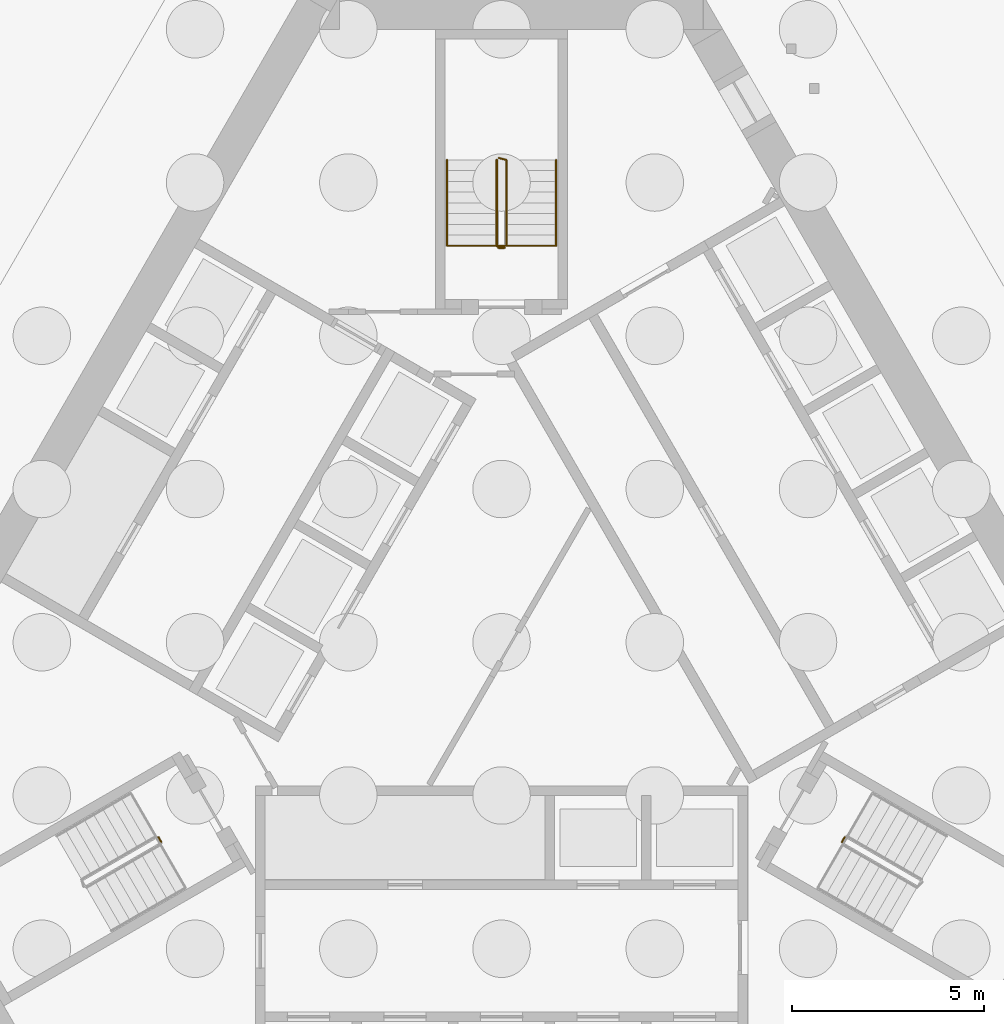
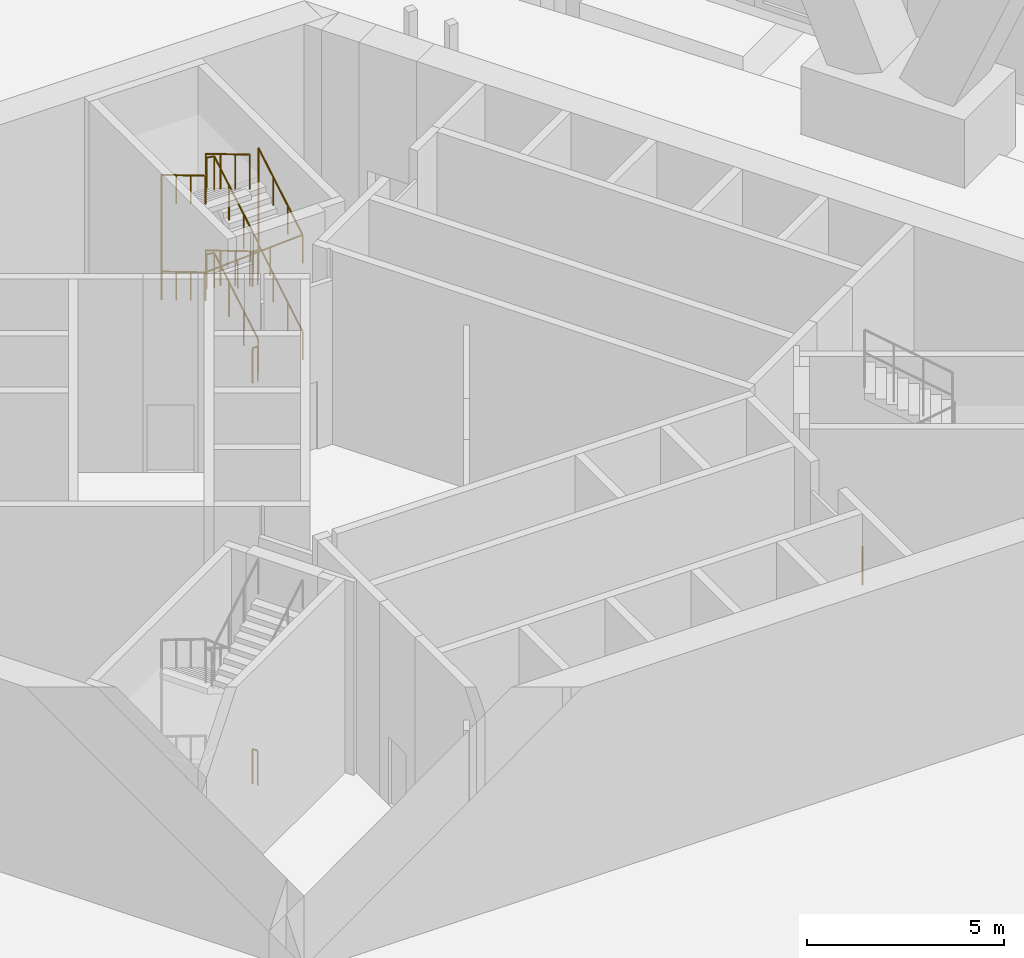
# One storey, part 32 of 38: 8 railings.
"""IFC4 building model written with IfcOpenShell, lengths in metres."""

from ifc_helpers import new_model, si_unit, direction, frame, origin, origin_2d, place, context, subcontext, project, spatial, circle, extrude, material, type_object, element, save


model = new_model("IFC4")

# Units and contexts
model_context = context("Model", 3, precision=1e-05, world=origin(), true_north=direction((0.0, 1.0)))
body_context = subcontext(model_context, "Body", "Model", "MODEL_VIEW")
ifc_project = project(units=[si_unit("LENGTHUNIT", "METRE"), si_unit("AREAUNIT", "SQUARE_METRE"), si_unit("VOLUMEUNIT", "CUBIC_METRE"), si_unit("PLANEANGLEUNIT", "RADIAN"), si_unit("MASSUNIT", "GRAM", prefix="KILO")], contexts=[model_context])

# Site, building, storey
site_placement = place(None, origin())
site = spatial("IfcSite", under=ifc_project, at=site_placement, CompositionType="ELEMENT")
building_placement = place(site_placement, origin())
building = spatial("IfcBuilding", under=site, at=building_placement, Name="Mestral Congress Tower", CompositionType="ELEMENT")
storey_placement = place(building_placement, origin())
storey = spatial("IfcBuildingStorey", under=building, at=storey_placement, Name="L00", CompositionType="ELEMENT", Elevation=0.0)

# Railings
ifc_material_1 = material(Name="Steel balustrade", Category="steel")
railing_type_1 = type_object("IfcRailingType", Name="Stair guard 1100", PredefinedType="GUARDRAIL", material=ifc_material_1)
railing_1_placement = place(storey_placement, frame((8.882568359375, -5.21484375, 0.0)))
element("IfcRailing", 1, at=railing_1_placement, inside=storey, type_object=railing_type_1, Name="L00 ST1 stair guard 5", PredefinedType="GUARDRAIL", context=body_context, shape_type="SweptSolid", body=[
    extrude(circle(Radius=0.02392578125, at=origin_2d()), frame((0.0, 0.0, 1.076171875), z_axis=(0.499816412211, 0.866131372301, 0.0), x_axis=(-0.866131372301, 0.499816412211, 0.0)), (0.0, 0.0, 1.0), 0.14990234375),
    extrude(circle(Radius=0.02099609375, at=origin_2d()), origin(), (0.0, 0.0, 1.0), 1.052001953125),
    extrude(circle(Radius=0.02099609375, at=origin_2d()), frame((0.074951171875, 0.1298828125, 0.0)), (0.0, 0.0, 1.0), 1.052001953125),
])
railing_2_placement = place(storey_placement, frame((0.125, 10.35009765625, 0.166748046875)))
element("IfcRailing", 2, at=railing_2_placement, inside=storey, type_object=railing_type_1, Name="L00 ST2 stair guard 1", PredefinedType="GUARDRAIL", context=body_context, shape_type="SweptSolid", body=[
    extrude(circle(Radius=0.02392578125, at=origin_2d()), frame((0.0, 0.0, 1.076171875), z_axis=(0.0, 0.859305625298, 0.511462454469), x_axis=(-1.0, 0.0, 0.0)), (0.0, 0.0, 1.0), 2.606689453125),
    extrude(circle(Radius=0.02392578125, at=origin_2d()), frame((0.0, 2.239990234375, 2.4091796875), z_axis=(-0.970351222016, 0.241699205484, 0.0), x_axis=(-0.241699205484, -0.970351222016, 0.0)), (0.0, 0.0, 1.0), 0.2060546875),
    extrude(circle(Radius=0.02099609375, at=origin_2d()), origin(), (0.0, 0.0, 1.0), 1.052001953125),
    extrude(circle(Radius=0.02099609375, at=origin_2d()), frame((0.0, 0.74658203125, 0.4443359375)), (0.0, 0.0, 1.0), 1.052001953125),
    extrude(circle(Radius=0.02099609375, at=origin_2d()), frame((0.0, 1.493408203125, 0.888916015625)), (0.0, 0.0, 1.0), 1.052001953125),
    extrude(circle(Radius=0.02099609375, at=origin_2d()), frame((0.0, 2.239990234375, 1.333251953125)), (0.0, 0.0, 1.0), 1.052001953125),
    extrude(circle(Radius=0.02099609375, at=origin_2d()), frame((-0.199951171875, 2.289794921875, 1.333251953125)), (0.0, 0.0, 1.0), 1.052001953125),
])
railing_3_placement = place(storey_placement, frame((-0.125, 12.590087890625, 1.666748046875)))
element("IfcRailing", 3, at=railing_3_placement, inside=storey, type_object=railing_type_1, Name="L00 ST2 stair guard 2", PredefinedType="GUARDRAIL", context=body_context, shape_type="SweptSolid", body=[
    extrude(circle(Radius=0.02392578125, at=origin_2d()), frame((0.0, 0.0, 1.076171875), z_axis=(0.0, -0.859305625298, 0.511462454469), x_axis=(1.0, 0.0, 0.0)), (0.0, 0.0, 1.0), 2.606689453125),
    extrude(circle(Radius=0.02392578125, at=origin_2d()), frame((0.0, -2.239990234375, 2.4091796875), z_axis=(0.707106781187, -0.707106781187, 0.0), x_axis=(0.707106781187, 0.707106781187, 0.0)), (0.0, 0.0, 1.0), 0.07080078125),
    extrude(circle(Radius=0.02392578125, at=origin_2d()), frame((0.050048828125, -2.2900390625, 2.4091796875), z_axis=(1.0, 0.0, 0.0), x_axis=(0.0, 1.0, 0.0)), (0.0, 0.0, 1.0), 0.14990234375),
    extrude(circle(Radius=0.02099609375, at=origin_2d()), origin(), (0.0, 0.0, 1.0), 1.052001953125),
    extrude(circle(Radius=0.02099609375, at=origin_2d()), frame((0.0, -0.74658203125, 0.4443359375)), (0.0, 0.0, 1.0), 1.052001953125),
    extrude(circle(Radius=0.02099609375, at=origin_2d()), frame((0.0, -1.493408203125, 0.888916015625)), (0.0, 0.0, 1.0), 1.052001953125),
    extrude(circle(Radius=0.02099609375, at=origin_2d()), frame((0.0, -2.239990234375, 1.333251953125)), (0.0, 0.0, 1.0), 1.052001953125),
    extrude(circle(Radius=0.02099609375, at=origin_2d()), frame((0.050048828125, -2.2900390625, 1.333251953125)), (0.0, 0.0, 1.0), 1.052001953125),
    extrude(circle(Radius=0.02099609375, at=origin_2d()), frame((0.199951171875, -2.2900390625, 1.333251953125)), (0.0, 0.0, 1.0), 1.052001953125),
])
railing_4_placement = place(storey_placement, frame((0.125, 10.35009765625, 3.166748046875)))
element("IfcRailing", 4, at=railing_4_placement, inside=storey, type_object=railing_type_1, Name="L00 ST2 stair guard 3", PredefinedType="GUARDRAIL", context=body_context, shape_type="SweptSolid", body=[
    extrude(circle(Radius=0.02392578125, at=origin_2d()), frame((0.0, 0.0, 1.076171875), z_axis=(0.0, 0.859305625298, 0.511462454469), x_axis=(-1.0, 0.0, 0.0)), (0.0, 0.0, 1.0), 2.606689453125),
    extrude(circle(Radius=0.02392578125, at=origin_2d()), frame((0.0, 2.239990234375, 2.4091796875), z_axis=(-0.970351222016, 0.241699205484, 0.0), x_axis=(-0.241699205484, -0.970351222016, 0.0)), (0.0, 0.0, 1.0), 0.2060546875),
    extrude(circle(Radius=0.02099609375, at=origin_2d()), origin(), (0.0, 0.0, 1.0), 1.052001953125),
    extrude(circle(Radius=0.02099609375, at=origin_2d()), frame((0.0, 0.74658203125, 0.4443359375)), (0.0, 0.0, 1.0), 1.052001953125),
    extrude(circle(Radius=0.02099609375, at=origin_2d()), frame((0.0, 1.493408203125, 0.888916015625)), (0.0, 0.0, 1.0), 1.052001953125),
    extrude(circle(Radius=0.02099609375, at=origin_2d()), frame((0.0, 2.239990234375, 1.333251953125)), (0.0, 0.0, 1.0), 1.052001953125),
    extrude(circle(Radius=0.02099609375, at=origin_2d()), frame((-0.199951171875, 2.289794921875, 1.333251953125)), (0.0, 0.0, 1.0), 1.052001953125),
])
railing_5_placement = place(storey_placement, frame((-0.125, 12.590087890625, 4.666748046875)))
element("IfcRailing", 5, at=railing_5_placement, inside=storey, type_object=railing_type_1, Name="L00 ST2 stair guard 4", PredefinedType="GUARDRAIL", context=body_context, shape_type="SweptSolid", body=[
    extrude(circle(Radius=0.02392578125, at=origin_2d()), frame((0.0, 0.0, 1.076171875), z_axis=(0.0, -0.859305625298, 0.511462454469), x_axis=(1.0, 0.0, 0.0)), (0.0, 0.0, 1.0), 2.606689453125),
    extrude(circle(Radius=0.02099609375, at=origin_2d()), origin(), (0.0, 0.0, 1.0), 1.052001953125),
    extrude(circle(Radius=0.02099609375, at=origin_2d()), frame((0.0, -0.74658203125, 0.4443359375)), (0.0, 0.0, 1.0), 1.052001953125),
    extrude(circle(Radius=0.02099609375, at=origin_2d()), frame((0.0, -1.493408203125, 0.888916015625)), (0.0, 0.0, 1.0), 1.052001953125),
    extrude(circle(Radius=0.02099609375, at=origin_2d()), frame((0.0, -2.239990234375, 1.333251953125)), (0.0, 0.0, 1.0), 1.052001953125),
])
railing_6_placement = place(storey_placement, frame((0.074951171875, 10.300048828125, 0.0)))
element("IfcRailing", 6, at=railing_6_placement, inside=storey, type_object=railing_type_1, Name="L00 ST2 stair guard 5", PredefinedType="GUARDRAIL", context=body_context, shape_type="SweptSolid", body=[
    extrude(circle(Radius=0.02392578125, at=origin_2d()), frame((0.0, 0.0, 1.076171875), z_axis=(-1.0, 0.0, 0.0), x_axis=(0.0, -1.0, 0.0)), (0.0, 0.0, 1.0), 0.14990234375),
    extrude(circle(Radius=0.02099609375, at=origin_2d()), origin(), (0.0, 0.0, 1.0), 1.052001953125),
    extrude(circle(Radius=0.02099609375, at=origin_2d()), frame((-0.14990234375, 0.0, 0.0)), (0.0, 0.0, 1.0), 1.052001953125),
])
railing_7_placement = place(storey_placement, frame((-8.95751953125, -5.0849609375, 0.0)))
element("IfcRailing", 7, at=railing_7_placement, inside=storey, type_object=railing_type_1, Name="L00 ST3 stair guard 5", PredefinedType="GUARDRAIL", context=body_context, shape_type="SweptSolid", body=[
    extrude(circle(Radius=0.02392578125, at=origin_2d()), frame((0.0, 0.0, 1.076171875), z_axis=(0.499816412211, -0.866131372301, 0.0), x_axis=(0.866131372301, 0.499816412211, 0.0)), (0.0, 0.0, 1.0), 0.14990234375),
    extrude(circle(Radius=0.02099609375, at=origin_2d()), origin(), (0.0, 0.0, 1.0), 1.052001953125),
    extrude(circle(Radius=0.02099609375, at=origin_2d()), frame((0.074951171875, -0.1298828125, 0.0)), (0.0, 0.0, 1.0), 1.052001953125),
])
ifc_material_2 = material(Name="Steel handrail", Category="steel")
railing_type_2 = type_object("IfcRailingType", Name="Stair handrail 900", PredefinedType="HANDRAIL", material=ifc_material_2)
railing_8_placement = place(storey_placement, frame((1.425048828125, 10.35009765625, 0.166748046875)))
element("IfcRailing", 8, at=railing_8_placement, inside=storey, type_object=railing_type_2, Name="L00 ST2 stair handrail 1", PredefinedType="HANDRAIL", context=body_context, shape_type="SweptSolid", body=[
    extrude(circle(Radius=0.02392578125, at=origin_2d()), frame((0.0, 0.0, 0.8759765625), z_axis=(0.0, 0.859305625298, 0.511462454469), x_axis=(-1.0, 0.0, 0.0)), (0.0, 0.0, 1.0), 2.606689453125),
    extrude(circle(Radius=0.02392578125, at=origin_2d()), frame((0.0, 2.239990234375, 2.208984375), z_axis=(0.0, 0.0, 1.0), x_axis=(1.0, 0.0, 0.0)), (0.0, 0.0, 1.0), 3.0),
    extrude(circle(Radius=0.02392578125, at=origin_2d()), frame((0.0, 2.239990234375, 5.208984375), z_axis=(0.0, -0.859305625298, -0.511462454469), x_axis=(1.0, 0.0, 0.0)), (0.0, 0.0, 1.0), 2.606689453125),
    extrude(circle(Radius=0.02392578125, at=origin_2d()), frame((0.0, 0.0, 3.8759765625), z_axis=(-0.998292900445, 0.0, -0.058406206185), x_axis=(0.0, -1.0, 0.0)), (0.0, 0.0, 1.0), 2.85498046875),
    extrude(circle(Radius=0.02392578125, at=origin_2d()), frame((-2.85009765625, 0.0, 3.708984375), z_axis=(0.0, 0.859305625298, -0.511462454469), x_axis=(-1.0, 0.0, 0.0)), (0.0, 0.0, 1.0), 2.606689453125),
    extrude(circle(Radius=0.02392578125, at=origin_2d()), frame((-2.85009765625, 2.239990234375, 2.3759765625), z_axis=(0.0, 0.0, 1.0), x_axis=(1.0, 0.0, 0.0)), (0.0, 0.0, 1.0), 3.0),
    extrude(circle(Radius=0.02392578125, at=origin_2d()), frame((-2.85009765625, 2.239990234375, 5.3759765625), z_axis=(0.0, -0.859305625298, 0.511462454469), x_axis=(1.0, 0.0, 0.0)), (0.0, 0.0, 1.0), 2.606689453125),
    extrude(circle(Radius=0.02099609375, at=origin_2d()), origin(), (0.0, 0.0, 1.0), 0.851806640625),
    extrude(circle(Radius=0.02099609375, at=origin_2d()), frame((0.0, 0.74658203125, 0.4443359375)), (0.0, 0.0, 1.0), 0.851806640625),
    extrude(circle(Radius=0.02099609375, at=origin_2d()), frame((0.0, 1.493408203125, 0.888916015625)), (0.0, 0.0, 1.0), 0.851806640625),
    extrude(circle(Radius=0.02099609375, at=origin_2d()), frame((0.0, 2.239990234375, 1.333251953125)), (0.0, 0.0, 1.0), 0.851806640625),
    extrude(circle(Radius=0.02099609375, at=origin_2d()), frame((0.0, 2.239990234375, 2.333251953125)), (0.0, 0.0, 1.0), 0.851806640625),
    extrude(circle(Radius=0.02099609375, at=origin_2d()), frame((0.0, 2.239990234375, 3.333251953125)), (0.0, 0.0, 1.0), 0.851806640625),
    extrude(circle(Radius=0.02099609375, at=origin_2d()), frame((0.0, 2.239990234375, 4.333251953125)), (0.0, 0.0, 1.0), 0.851806640625),
    extrude(circle(Radius=0.02099609375, at=origin_2d()), frame((0.0, 1.493408203125, 3.888916015625)), (0.0, 0.0, 1.0), 0.851806640625),
    extrude(circle(Radius=0.02099609375, at=origin_2d()), frame((0.0, 0.74658203125, 3.4443359375)), (0.0, 0.0, 1.0), 0.851806640625),
    extrude(circle(Radius=0.02099609375, at=origin_2d()), frame((0.0, 0.0, 3.0)), (0.0, 0.0, 1.0), 0.851806640625),
    extrude(circle(Radius=0.02099609375, at=origin_2d()), frame((-0.949951171875, 0.0, 2.9443359375)), (0.0, 0.0, 1.0), 0.851806640625),
    extrude(circle(Radius=0.02099609375, at=origin_2d()), frame((-1.900146484375, 0.0, 2.888916015625)), (0.0, 0.0, 1.0), 0.851806640625),
    extrude(circle(Radius=0.02099609375, at=origin_2d()), frame((-2.85009765625, 0.0, 2.833251953125)), (0.0, 0.0, 1.0), 0.851806640625),
    extrude(circle(Radius=0.02099609375, at=origin_2d()), frame((-2.85009765625, 0.74658203125, 2.388916015625)), (0.0, 0.0, 1.0), 0.851806640625),
    extrude(circle(Radius=0.02099609375, at=origin_2d()), frame((-2.85009765625, 1.493408203125, 1.9443359375)), (0.0, 0.0, 1.0), 0.851806640625),
    extrude(circle(Radius=0.02099609375, at=origin_2d()), frame((-2.85009765625, 2.239990234375, 1.5)), (0.0, 0.0, 1.0), 0.851806640625),
    extrude(circle(Radius=0.02099609375, at=origin_2d()), frame((-2.85009765625, 2.239990234375, 2.5)), (0.0, 0.0, 1.0), 0.851806640625),
    extrude(circle(Radius=0.02099609375, at=origin_2d()), frame((-2.85009765625, 2.239990234375, 3.5)), (0.0, 0.0, 1.0), 0.851806640625),
    extrude(circle(Radius=0.02099609375, at=origin_2d()), frame((-2.85009765625, 2.239990234375, 4.5)), (0.0, 0.0, 1.0), 0.851806640625),
    extrude(circle(Radius=0.02099609375, at=origin_2d()), frame((-2.85009765625, 1.493408203125, 4.9443359375)), (0.0, 0.0, 1.0), 0.851806640625),
    extrude(circle(Radius=0.02099609375, at=origin_2d()), frame((-2.85009765625, 0.74658203125, 5.388916015625)), (0.0, 0.0, 1.0), 0.851806640625),
    extrude(circle(Radius=0.02099609375, at=origin_2d()), frame((-2.85009765625, 0.0, 5.833251953125)), (0.0, 0.0, 1.0), 0.851806640625),
])

save(model, "model.ifc")
